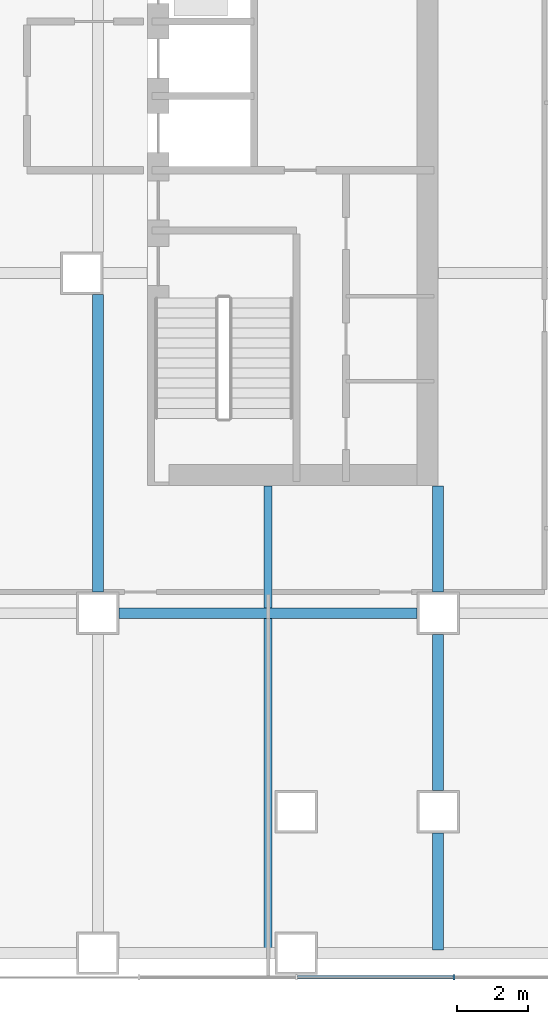
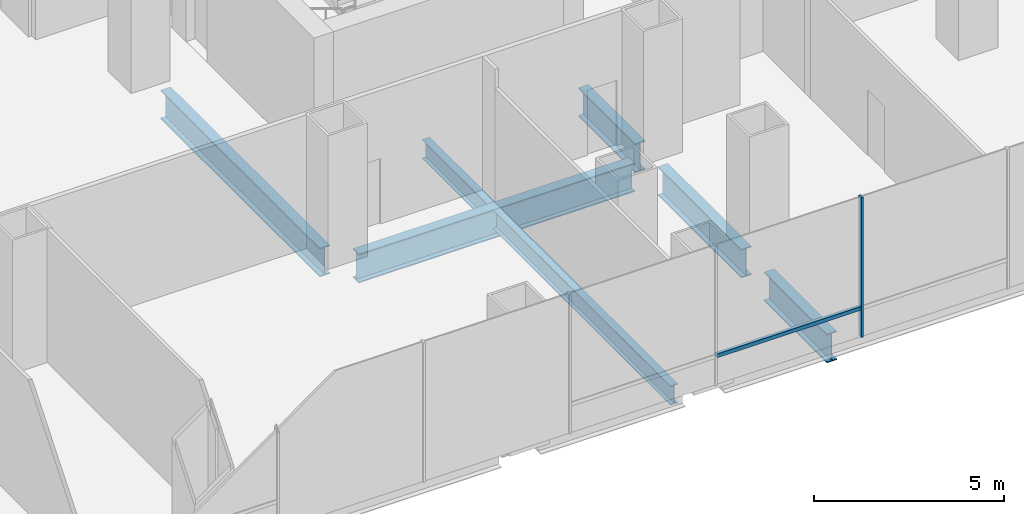
# One storey, part 6 of 23: 7 beams, 2 members, 1 element without a shape of its own.
"""IFC4 building model written with IfcOpenShell, lengths in metres."""

import ifcopenshell
import ifcopenshell.guid

model = None  # the IFC model being written
_history = None  # IfcOwnerHistory: only IFC2X3 demands one
_inside = {}  # id of a spatial element -> (the spatial element, [elements in it])
_under = {}  # id of a project, library or spatial element -> (it, [spatial elements below it])
_declared = {}  # id of a project -> (the project, [libraries it declares])
_typed = {}  # id of a type object -> (the type object, [elements of that type])
_made_of = {}  # id of a material, layer set ... -> (it, [elements and type objects made of it])


def new_model(schema):
    """Start an empty IFC model of exactly this schema.

    Asked for "IFC4X3", IfcOpenShell would pick the latest addendum, in which some entities
    have other attributes; the version numbers below select the first issue.
    IFC2X3 requires an IfcOwnerHistory on every rooted entity: one is made here for all.
    """
    global model, _history
    if schema == "IFC4X3":
        model = ifcopenshell.file(schema_version=(4, 3, 0, 0))
    else:
        model = ifcopenshell.file(schema=schema)
    _inside.clear()
    _under.clear()
    _declared.clear()
    _typed.clear()
    _made_of.clear()
    _history = None
    if model.schema == "IFC2X3":
        org = make("IfcOrganization", Name="unknown")
        user = make(
            "IfcPersonAndOrganization",
            ThePerson=make("IfcPerson", FamilyName="unknown"),
            TheOrganization=org,
        )
        app = make(
            "IfcApplication",
            ApplicationDeveloper=org,
            Version="unknown",
            ApplicationFullName="unknown",
            ApplicationIdentifier="unknown",
        )
        _history = make(
            "IfcOwnerHistory",
            OwningUser=user,
            OwningApplication=app,
            ChangeAction="ADDED",
            CreationDate=0,
        )
    return model


def make(cls, **values):
    """One entity of the class cls with the attributes given. An attribute that is None is left unset."""
    return model.create_entity(
        cls, **{name: value for name, value in values.items() if value is not None}
    )


def rooted(cls, **values):
    """An entity with a GlobalId (a new one), such as an element, a storey or a relation."""
    return make(cls, GlobalId=ifcopenshell.guid.new(), OwnerHistory=_history, **values)


def si_unit(unit_type, name, prefix=None):
    """IfcSIUnit, for example si_unit("LENGTHUNIT", "METRE", prefix="MILLI")."""
    return make("IfcSIUnit", UnitType=unit_type, Prefix=prefix, Name=name)


def assignment(units):
    """IfcUnitAssignment: the units of a project."""
    return None if units is None else make("IfcUnitAssignment", Units=units)


def point(xyz):
    """IfcCartesianPoint."""
    return None if xyz is None else make("IfcCartesianPoint", Coordinates=xyz)


def direction(xyz):
    """IfcDirection."""
    return None if xyz is None else make("IfcDirection", DirectionRatios=xyz)


def frame(location, z_axis=None, x_axis=None):
    """IfcAxis2Placement3D, a coordinate frame: its origin and axes. An axis left out is left unset."""
    return make(
        "IfcAxis2Placement3D",
        Location=point(location),
        Axis=direction(z_axis),
        RefDirection=direction(x_axis),
    )


def frame_2d(location, x_axis=None):
    """IfcAxis2Placement2D, a coordinate frame in the plane: its origin and x axis."""
    return make(
        "IfcAxis2Placement2D", Location=point(location), RefDirection=direction(x_axis)
    )


def origin():
    """The frame at (0, 0, 0) with its axes left unset."""
    return frame((0.0, 0.0, 0.0))


def origin_2d():
    """The frame at (0, 0) in the plane with its x axis left unset."""
    return frame_2d((0.0, 0.0))


def place(relative_to, where):
    """IfcLocalPlacement: puts the frame where relative to a parent placement (None: the world)."""
    return make(
        "IfcLocalPlacement", PlacementRelTo=relative_to, RelativePlacement=where
    )


def context(
    kind, dimensions, precision=None, world=None, true_north=None, identifier=None
):
    """IfcGeometricRepresentationContext, for example the 3D "Model" context."""
    return make(
        "IfcGeometricRepresentationContext",
        ContextIdentifier=identifier,
        ContextType=kind,
        CoordinateSpaceDimension=dimensions,
        Precision=precision,
        WorldCoordinateSystem=world,
        TrueNorth=true_north,
    )


def subcontext(parent, identifier, kind, view, scale=None):
    """IfcGeometricRepresentationSubContext, for example "Body" below "Model"."""
    return make(
        "IfcGeometricRepresentationSubContext",
        ContextIdentifier=identifier,
        ContextType=kind,
        ParentContext=parent,
        TargetScale=scale,
        TargetView=view,
    )


def project(units=None, contexts=None):
    """IfcProject with its units and contexts."""
    return rooted(
        "IfcProject",
        Name="project",
        RepresentationContexts=contexts,
        UnitsInContext=assignment(units),
    )


def spatial(cls, under=None, at=None, **own):
    """A site, building, storey or space (cls), placed at a placement, below another one or the project."""
    s = rooted(cls, ObjectPlacement=at, **own)
    if under is not None:
        _under.setdefault(under.id(), (under, []))[1].append(s)
    return s


def profile(cls, at=None, kind="AREA", **sizes):
    """A parametric profile (cls). Its sizes go by their IFC names, for example OverallWidth=200.0."""
    return make(cls, ProfileType=kind, Position=at, **sizes)


def rectangle(**sizes):
    """IfcRectangleProfileDef."""
    return profile("IfcRectangleProfileDef", **sizes)


def i_section(**sizes):
    """IfcIShapeProfileDef."""
    return profile("IfcIShapeProfileDef", **sizes)


def extrude(swept, where, along, depth):
    """IfcExtrudedAreaSolid: the profile swept, set in the frame where, extruded along a direction by depth."""
    return make(
        "IfcExtrudedAreaSolid",
        SweptArea=swept,
        Position=where,
        ExtrudedDirection=direction(along),
        Depth=depth,
    )


def shape(context_of_items, identifier, shape_type, items):
    """IfcShapeRepresentation: the items that make up one representation, for example the "Body"."""
    return make(
        "IfcShapeRepresentation",
        ContextOfItems=context_of_items,
        RepresentationIdentifier=identifier,
        RepresentationType=shape_type,
        Items=items,
    )


def material(Name=None, Category=None):
    """IfcMaterial."""
    return make("IfcMaterial", Name=Name, Category=Category)


def material_profile(
    of_material, cross_section, Name=None, Category=None, Priority=None
):
    """IfcMaterialProfile: a cross section and its material."""
    return make(
        "IfcMaterialProfile",
        Name=Name,
        Material=of_material,
        Profile=cross_section,
        Priority=Priority,
        Category=Category,
    )


def profile_set(profiles, Name=None, composite=None):
    """IfcMaterialProfileSet."""
    return make(
        "IfcMaterialProfileSet",
        Name=Name,
        MaterialProfiles=profiles,
        CompositeProfile=composite,
    )


def made_of(thing, what):
    """Note that an element or type object is made of a material, layer set ...; save() writes the relation."""
    if what is not None:
        _made_of.setdefault(what.id(), (what, []))[1].append(thing)
    return thing


def type_object(cls, material=None, **own):
    """A type object (cls), such as IfcWallType, which elements share."""
    return made_of(rooted(cls, **own), material)


def element(
    cls,
    number,
    at=None,
    inside=None,
    cuts=None,
    type_object=None,
    material=None,
    context=None,
    identifier="Body",
    shape_type=None,
    held_by="IfcProductDefinitionShape",
    body=None,
    shapes=None,
    **own,
):
    """One element of the class cls, such as IfcWall. Its Tag is "e" and its number.

    at: its placement. inside: the storey or other place that contains it. cuts: it is an
    opening in that element (IfcRelVoidsElement). A single representation is given by context,
    identifier, shape_type and body (its items); several are given by shapes. held_by: the class
    of the entity that holds the representations. save() writes the other relations.
    """
    e = rooted(cls, Tag="e%d" % number, ObjectPlacement=at, **own)
    if body is not None:
        shapes = [shape(context, identifier, shape_type, body)]
    if shapes is not None:
        e.Representation = make(held_by, Representations=shapes)
    if inside is not None:
        _inside.setdefault(inside.id(), (inside, []))[1].append(e)
    if cuts is not None:
        rooted(
            "IfcRelVoidsElement", RelatingBuildingElement=cuts, RelatedOpeningElement=e
        )
    if type_object is not None:
        _typed.setdefault(type_object.id(), (type_object, []))[1].append(e)
    return made_of(e, material)


def aggregate(whole, parts):
    """IfcRelAggregates: a whole, such as a stair, and the parts it consists of."""
    return rooted("IfcRelAggregates", RelatingObject=whole, RelatedObjects=parts)


def save(model, path):
    """Write the relations noted so far, then the file.

    IfcRelAggregates (storeys below a building ...), IfcRelContainedInSpatialStructure (elements
    in a storey), IfcRelDefinesByType, IfcRelAssociatesMaterial and IfcRelDeclares: one each for
    every whole, place, type object, material and project.
    """
    for whole, parts in _under.values():
        aggregate(whole, parts)
    for where, things in _inside.values():
        rooted(
            "IfcRelContainedInSpatialStructure",
            RelatedElements=things,
            RelatingStructure=where,
        )
    for kind, things in _typed.values():
        rooted("IfcRelDefinesByType", RelatedObjects=things, RelatingType=kind)
    for what, things in _made_of.values():
        rooted("IfcRelAssociatesMaterial", RelatedObjects=things, RelatingMaterial=what)
    for by, libraries in _declared.values():
        rooted("IfcRelDeclares", RelatingContext=by, RelatedDefinitions=libraries)
    model.write(path)


model = new_model("IFC4")

# Units and contexts
model_context = context("Model", 3, precision=1e-05, world=origin(), true_north=direction((0.0, 1.0)))
body_context = subcontext(model_context, "Body", "Model", "MODEL_VIEW")
ifc_project = project(units=[si_unit("LENGTHUNIT", "METRE"), si_unit("AREAUNIT", "SQUARE_METRE"), si_unit("VOLUMEUNIT", "CUBIC_METRE"), si_unit("PLANEANGLEUNIT", "RADIAN"), si_unit("MASSUNIT", "GRAM", prefix="KILO")], contexts=[model_context])

# Site, building, storey
site_placement = place(None, origin())
site = spatial("IfcSite", under=ifc_project, at=site_placement, CompositionType="ELEMENT")
building_placement = place(site_placement, origin())
building = spatial("IfcBuilding", under=site, at=building_placement, Name="Cobrizo Arcos Hotel Tower", CompositionType="ELEMENT")
storey_placement = place(building_placement, frame((0.0, 0.0, 20.0)))
storey = spatial("IfcBuildingStorey", under=building, at=storey_placement, Name="L03", CompositionType="ELEMENT", Elevation=20.0)

# Curtain wall, members
ifc_material_1 = material(Name="Aluminium 6063-T6 anodised bronze", Category="aluminium")
curtain_wall_type = type_object("IfcCurtainWallType", Name="CW-A guest facade", PredefinedType="NOTDEFINED", material=ifc_material_1)
curtain_wall_placement = place(storey_placement, origin())
curtain_wall = element("IfcCurtainWall", 1, at=curtain_wall_placement, inside=storey, type_object=curtain_wall_type, Name="CW-A L03 S face", PredefinedType="NOTDEFINED")
ifc_material_profile_1 = material_profile(ifc_material_1, rectangle(XDim=0.14990234375, YDim=0.06005859375, at=origin_2d()), Name="CW-A mullion 150x60")
ifc_profile_set_1 = profile_set([ifc_material_profile_1], Name="Aluminium 6063-T6 anodised bronze")
member_type_1 = type_object("IfcMemberType", Name="CW-A mullion 150x60", PredefinedType="MULLION", material=ifc_profile_set_1)
member_1_placement = place(storey_placement, frame((24.4443359375, -24.675048828125, 0.0), z_axis=(0.0, 0.0, 1.0), x_axis=(0.0, -1.0, 0.0)))
member_1 = element("IfcMember", 2, at=member_1_placement, type_object=member_type_1, Name="CW-A mullion 15", PredefinedType="MULLION", context=body_context, shape_type="SweptSolid", body=[
    extrude(rectangle(XDim=0.14990234375, YDim=0.06005859375, at=origin_2d()), origin(), (0.0, 0.0, 1.0), 4.5),
])
ifc_material_profile_2 = material_profile(ifc_material_1, rectangle(XDim=0.10009765625, YDim=0.1201171875, at=origin_2d()), Name="CW-A transom 120x100")
ifc_profile_set_2 = profile_set([ifc_material_profile_2], Name="Aluminium 6063-T6 anodised bronze")
member_type_2 = type_object("IfcMemberType", Name="CW-A transom 120x100", PredefinedType="USERDEFINED", material=ifc_profile_set_2)
member_2_placement = place(storey_placement, frame((20.030029296875, -24.675048828125, 0.929931640625), z_axis=(1.0, 0.0, 0.0), x_axis=(0.0, 1.0, 0.0)))
member_2 = element("IfcMember", 3, at=member_2_placement, type_object=member_type_2, Name="CW-A transom 211", ObjectType="TRANSOM", PredefinedType="USERDEFINED", context=body_context, shape_type="SweptSolid", body=[
    extrude(rectangle(XDim=0.10009765625, YDim=0.1201171875, at=origin_2d()), origin(), (0.0, 0.0, 1.0), 4.384521484375),
])
aggregate(curtain_wall, [member_1, member_2])

# Beams
ifc_material_2 = material(Name="Steel ASTM A992 Grade 50", Category="steel")
ifc_material_profile_3 = material_profile(ifc_material_2, i_section(OverallWidth=0.23046875, OverallDepth=0.6171875, WebThickness=0.01318359375, FlangeThickness=0.022216796875, at=origin_2d()), Name="W24X94")
ifc_profile_set_3 = profile_set([ifc_material_profile_3], Name="Steel ASTM A992 Grade 50")
beam_type_1 = type_object("IfcBeamType", Name="W24X94 podium joist", PredefinedType="JOIST", material=ifc_profile_set_3)
beam_1_placement = place(storey_placement, frame((19.199951171875, -23.909912109375, -0.508544921875), z_axis=(0.0, 1.0, 0.0), x_axis=(-1.0, 0.0, 0.0)))
element("IfcBeam", 4, at=beam_1_placement, inside=storey, type_object=beam_type_1, Name="Podium joist PJ1, L03, no. 025", PredefinedType="JOIST", context=body_context, shape_type="SweptSolid", body=[
    extrude(i_section(OverallWidth=0.23046875, OverallDepth=0.6171875, WebThickness=0.01318359375, FlangeThickness=0.022216796875, at=origin_2d()), origin(), (0.0, 0.0, 1.0), 9.356201171875),
])
beam_2_placement = place(storey_placement, frame((19.199951171875, -14.246337890625, -0.508544921875), z_axis=(0.0, 1.0, 0.0), x_axis=(-1.0, 0.0, 0.0)))
element("IfcBeam", 5, at=beam_2_placement, inside=storey, type_object=beam_type_1, Name="Podium joist PJ1, L03, no. 026", PredefinedType="JOIST", context=body_context, shape_type="SweptSolid", body=[
    extrude(i_section(OverallWidth=0.23046875, OverallDepth=0.6171875, WebThickness=0.01318359375, FlangeThickness=0.022216796875, at=origin_2d()), origin(), (0.0, 0.0, 1.0), 3.436279296875),
])
ifc_material_profile_4 = material_profile(ifc_material_2, i_section(OverallWidth=0.307373046875, OverallDepth=0.927001953125, WebThickness=0.01953125, FlangeThickness=0.031982421875, at=origin_2d()), Name="W36X194")
ifc_profile_set_4 = profile_set([ifc_material_profile_4], Name="Steel ASTM A992 Grade 50")
beam_type_2 = type_object("IfcBeamType", Name="W36X194 podium girder", PredefinedType="BEAM", material=ifc_profile_set_4)
beam_3_placement = place(storey_placement, frame((15.0, -14.39990234375, -0.66357421875), z_axis=(1.0, 0.0, 0.0), x_axis=(0.0, 1.0, 0.0)))
element("IfcBeam", 6, at=beam_3_placement, inside=storey, type_object=beam_type_2, Name="Podium girder PG1, L03, no. 007", PredefinedType="BEAM", context=body_context, shape_type="SweptSolid", body=[
    extrude(i_section(OverallWidth=0.307373046875, OverallDepth=0.927001953125, WebThickness=0.01953125, FlangeThickness=0.031982421875, at=origin_2d()), origin(), (0.0, 0.0, 1.0), 8.39990234375),
])
beam_4_placement = place(storey_placement, frame((14.39990234375, -13.800048828125, -0.66357421875), z_axis=(0.0, 1.0, 0.0), x_axis=(-1.0, 0.0, 0.0)))
element("IfcBeam", 7, at=beam_4_placement, inside=storey, type_object=beam_type_2, Name="Podium girder PG1, L03, no. 062", PredefinedType="BEAM", context=body_context, shape_type="SweptSolid", body=[
    extrude(i_section(OverallWidth=0.307373046875, OverallDepth=0.927001953125, WebThickness=0.01953125, FlangeThickness=0.031982421875, at=origin_2d()), origin(), (0.0, 0.0, 1.0), 8.400146484375),
])
beam_5_placement = place(storey_placement, frame((24.0, -23.909912109375, -0.66357421875), z_axis=(0.0, 1.0, 0.0), x_axis=(-1.0, 0.0, 0.0)))
element("IfcBeam", 8, at=beam_5_placement, inside=storey, type_object=beam_type_2, Name="Podium girder PG1, L03, no. 066", PredefinedType="BEAM", context=body_context, shape_type="SweptSolid", body=[
    extrude(i_section(OverallWidth=0.307373046875, OverallDepth=0.927001953125, WebThickness=0.01953125, FlangeThickness=0.031982421875, at=origin_2d()), origin(), (0.0, 0.0, 1.0), 3.309814453125),
])
beam_6_placement = place(storey_placement, frame((24.0, -19.39990234375, -0.66357421875), z_axis=(0.0, 1.0, 0.0), x_axis=(-1.0, 0.0, 0.0)))
element("IfcBeam", 9, at=beam_6_placement, inside=storey, type_object=beam_type_2, Name="Podium girder PG1, L03, no. 067", PredefinedType="BEAM", context=body_context, shape_type="SweptSolid", body=[
    extrude(i_section(OverallWidth=0.307373046875, OverallDepth=0.927001953125, WebThickness=0.01953125, FlangeThickness=0.031982421875, at=origin_2d()), origin(), (0.0, 0.0, 1.0), 4.39990234375),
])
beam_7_placement = place(storey_placement, frame((24.0, -13.800048828125, -0.66357421875), z_axis=(0.0, 1.0, 0.0), x_axis=(-1.0, 0.0, 0.0)))
element("IfcBeam", 10, at=beam_7_placement, inside=storey, type_object=beam_type_2, Name="Podium girder PG1, L03, no. 068", PredefinedType="BEAM", context=body_context, shape_type="SweptSolid", body=[
    extrude(i_section(OverallWidth=0.307373046875, OverallDepth=0.927001953125, WebThickness=0.01953125, FlangeThickness=0.031982421875, at=origin_2d()), origin(), (0.0, 0.0, 1.0), 2.989990234375),
])

save(model, "model.ifc")
